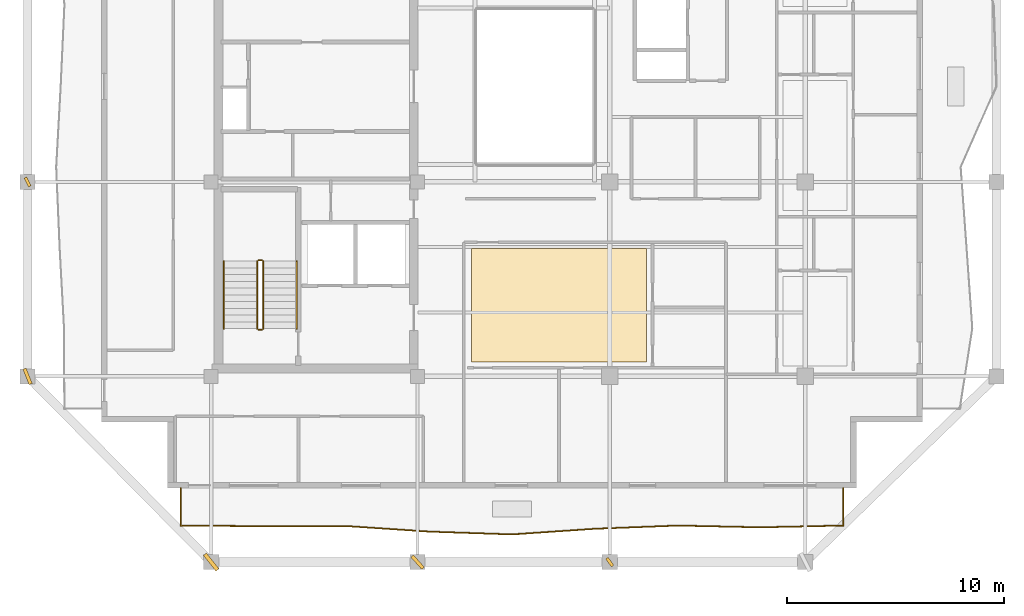
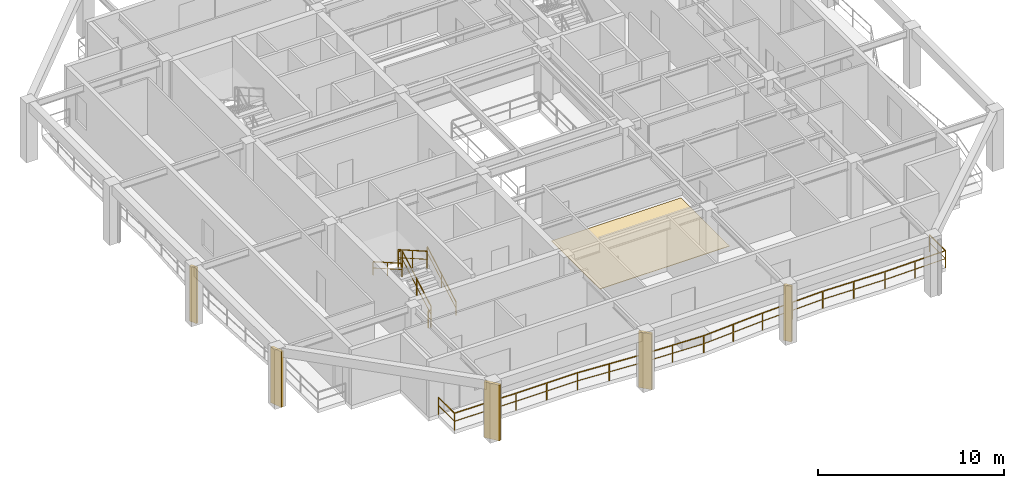
# One storey, part 7 of 10: 7 railings, 5 shading devices, 1 covering.
"""IFC4 building model written with IfcOpenShell, lengths in metres."""

import ifcopenshell
import ifcopenshell.guid

model = None  # the IFC model being written
_history = None  # IfcOwnerHistory: only IFC2X3 demands one
_inside = {}  # id of a spatial element -> (the spatial element, [elements in it])
_under = {}  # id of a project, library or spatial element -> (it, [spatial elements below it])
_declared = {}  # id of a project -> (the project, [libraries it declares])
_typed = {}  # id of a type object -> (the type object, [elements of that type])
_made_of = {}  # id of a material, layer set ... -> (it, [elements and type objects made of it])


def new_model(schema):
    """Start an empty IFC model of exactly this schema.

    Asked for "IFC4X3", IfcOpenShell would pick the latest addendum, in which some entities
    have other attributes; the version numbers below select the first issue.
    IFC2X3 requires an IfcOwnerHistory on every rooted entity: one is made here for all.
    """
    global model, _history
    if schema == "IFC4X3":
        model = ifcopenshell.file(schema_version=(4, 3, 0, 0))
    else:
        model = ifcopenshell.file(schema=schema)
    _inside.clear()
    _under.clear()
    _declared.clear()
    _typed.clear()
    _made_of.clear()
    _history = None
    if model.schema == "IFC2X3":
        org = make("IfcOrganization", Name="unknown")
        user = make(
            "IfcPersonAndOrganization",
            ThePerson=make("IfcPerson", FamilyName="unknown"),
            TheOrganization=org,
        )
        app = make(
            "IfcApplication",
            ApplicationDeveloper=org,
            Version="unknown",
            ApplicationFullName="unknown",
            ApplicationIdentifier="unknown",
        )
        _history = make(
            "IfcOwnerHistory",
            OwningUser=user,
            OwningApplication=app,
            ChangeAction="ADDED",
            CreationDate=0,
        )
    return model


def make(cls, **values):
    """One entity of the class cls with the attributes given. An attribute that is None is left unset."""
    return model.create_entity(
        cls, **{name: value for name, value in values.items() if value is not None}
    )


def rooted(cls, **values):
    """An entity with a GlobalId (a new one), such as an element, a storey or a relation."""
    return make(cls, GlobalId=ifcopenshell.guid.new(), OwnerHistory=_history, **values)


def si_unit(unit_type, name, prefix=None):
    """IfcSIUnit, for example si_unit("LENGTHUNIT", "METRE", prefix="MILLI")."""
    return make("IfcSIUnit", UnitType=unit_type, Prefix=prefix, Name=name)


def assignment(units):
    """IfcUnitAssignment: the units of a project."""
    return None if units is None else make("IfcUnitAssignment", Units=units)


def point(xyz):
    """IfcCartesianPoint."""
    return None if xyz is None else make("IfcCartesianPoint", Coordinates=xyz)


def direction(xyz):
    """IfcDirection."""
    return None if xyz is None else make("IfcDirection", DirectionRatios=xyz)


def frame(location, z_axis=None, x_axis=None):
    """IfcAxis2Placement3D, a coordinate frame: its origin and axes. An axis left out is left unset."""
    return make(
        "IfcAxis2Placement3D",
        Location=point(location),
        Axis=direction(z_axis),
        RefDirection=direction(x_axis),
    )


def frame_2d(location, x_axis=None):
    """IfcAxis2Placement2D, a coordinate frame in the plane: its origin and x axis."""
    return make(
        "IfcAxis2Placement2D", Location=point(location), RefDirection=direction(x_axis)
    )


def origin():
    """The frame at (0, 0, 0) with its axes left unset."""
    return frame((0.0, 0.0, 0.0))


def origin_2d():
    """The frame at (0, 0) in the plane with its x axis left unset."""
    return frame_2d((0.0, 0.0))


def place(relative_to, where):
    """IfcLocalPlacement: puts the frame where relative to a parent placement (None: the world)."""
    return make(
        "IfcLocalPlacement", PlacementRelTo=relative_to, RelativePlacement=where
    )


def context(
    kind, dimensions, precision=None, world=None, true_north=None, identifier=None
):
    """IfcGeometricRepresentationContext, for example the 3D "Model" context."""
    return make(
        "IfcGeometricRepresentationContext",
        ContextIdentifier=identifier,
        ContextType=kind,
        CoordinateSpaceDimension=dimensions,
        Precision=precision,
        WorldCoordinateSystem=world,
        TrueNorth=true_north,
    )


def subcontext(parent, identifier, kind, view, scale=None):
    """IfcGeometricRepresentationSubContext, for example "Body" below "Model"."""
    return make(
        "IfcGeometricRepresentationSubContext",
        ContextIdentifier=identifier,
        ContextType=kind,
        ParentContext=parent,
        TargetScale=scale,
        TargetView=view,
    )


def project(units=None, contexts=None):
    """IfcProject with its units and contexts."""
    return rooted(
        "IfcProject",
        Name="project",
        RepresentationContexts=contexts,
        UnitsInContext=assignment(units),
    )


def spatial(cls, under=None, at=None, **own):
    """A site, building, storey or space (cls), placed at a placement, below another one or the project."""
    s = rooted(cls, ObjectPlacement=at, **own)
    if under is not None:
        _under.setdefault(under.id(), (under, []))[1].append(s)
    return s


def polyline(points):
    """IfcPolyline through the points."""
    return make("IfcPolyline", Points=[point(p) for p in points])


def profile(cls, at=None, kind="AREA", **sizes):
    """A parametric profile (cls). Its sizes go by their IFC names, for example OverallWidth=200.0."""
    return make(cls, ProfileType=kind, Position=at, **sizes)


def rectangle(**sizes):
    """IfcRectangleProfileDef."""
    return profile("IfcRectangleProfileDef", **sizes)


def outline(outer, holes=None, kind="AREA"):
    """IfcArbitraryClosedProfileDef: a profile drawn as a closed curve; with holes, ...WithVoids."""
    if holes is None:
        return make("IfcArbitraryClosedProfileDef", ProfileType=kind, OuterCurve=outer)
    return make(
        "IfcArbitraryProfileDefWithVoids",
        ProfileType=kind,
        OuterCurve=outer,
        InnerCurves=holes,
    )


def extrude(swept, where, along, depth):
    """IfcExtrudedAreaSolid: the profile swept, set in the frame where, extruded along a direction by depth."""
    return make(
        "IfcExtrudedAreaSolid",
        SweptArea=swept,
        Position=where,
        ExtrudedDirection=direction(along),
        Depth=depth,
    )


def shape(context_of_items, identifier, shape_type, items):
    """IfcShapeRepresentation: the items that make up one representation, for example the "Body"."""
    return make(
        "IfcShapeRepresentation",
        ContextOfItems=context_of_items,
        RepresentationIdentifier=identifier,
        RepresentationType=shape_type,
        Items=items,
    )


def material(Name=None, Category=None):
    """IfcMaterial."""
    return make("IfcMaterial", Name=Name, Category=Category)


def layer(
    of_material, thickness, ventilated=None, Name=None, Category=None, Priority=None
):
    """IfcMaterialLayer: one layer of a wall or slab, of a material (None: an air gap)."""
    return make(
        "IfcMaterialLayer",
        Material=of_material,
        LayerThickness=thickness,
        IsVentilated=ventilated,
        Name=Name,
        Category=Category,
        Priority=Priority,
    )


def layer_set(layers, Name=None):
    """IfcMaterialLayerSet."""
    return make("IfcMaterialLayerSet", MaterialLayers=layers, LayerSetName=Name)


def made_of(thing, what):
    """Note that an element or type object is made of a material, layer set ...; save() writes the relation."""
    if what is not None:
        _made_of.setdefault(what.id(), (what, []))[1].append(thing)
    return thing


def type_object(cls, material=None, **own):
    """A type object (cls), such as IfcWallType, which elements share."""
    return made_of(rooted(cls, **own), material)


def element(
    cls,
    number,
    at=None,
    inside=None,
    cuts=None,
    type_object=None,
    material=None,
    context=None,
    identifier="Body",
    shape_type=None,
    held_by="IfcProductDefinitionShape",
    body=None,
    shapes=None,
    **own,
):
    """One element of the class cls, such as IfcWall. Its Tag is "e" and its number.

    at: its placement. inside: the storey or other place that contains it. cuts: it is an
    opening in that element (IfcRelVoidsElement). A single representation is given by context,
    identifier, shape_type and body (its items); several are given by shapes. held_by: the class
    of the entity that holds the representations. save() writes the other relations.
    """
    e = rooted(cls, Tag="e%d" % number, ObjectPlacement=at, **own)
    if body is not None:
        shapes = [shape(context, identifier, shape_type, body)]
    if shapes is not None:
        e.Representation = make(held_by, Representations=shapes)
    if inside is not None:
        _inside.setdefault(inside.id(), (inside, []))[1].append(e)
    if cuts is not None:
        rooted(
            "IfcRelVoidsElement", RelatingBuildingElement=cuts, RelatedOpeningElement=e
        )
    if type_object is not None:
        _typed.setdefault(type_object.id(), (type_object, []))[1].append(e)
    return made_of(e, material)


def aggregate(whole, parts):
    """IfcRelAggregates: a whole, such as a stair, and the parts it consists of."""
    return rooted("IfcRelAggregates", RelatingObject=whole, RelatedObjects=parts)


def save(model, path):
    """Write the relations noted so far, then the file.

    IfcRelAggregates (storeys below a building ...), IfcRelContainedInSpatialStructure (elements
    in a storey), IfcRelDefinesByType, IfcRelAssociatesMaterial and IfcRelDeclares: one each for
    every whole, place, type object, material and project.
    """
    for whole, parts in _under.values():
        aggregate(whole, parts)
    for where, things in _inside.values():
        rooted(
            "IfcRelContainedInSpatialStructure",
            RelatedElements=things,
            RelatingStructure=where,
        )
    for kind, things in _typed.values():
        rooted("IfcRelDefinesByType", RelatedObjects=things, RelatingType=kind)
    for what, things in _made_of.values():
        rooted("IfcRelAssociatesMaterial", RelatedObjects=things, RelatingMaterial=what)
    for by, libraries in _declared.values():
        rooted("IfcRelDeclares", RelatingContext=by, RelatedDefinitions=libraries)
    model.write(path)


model = new_model("IFC4")

# Units and contexts
model_context = context("Model", 3, precision=1e-05, world=origin(), true_north=direction((0.0, 1.0)))
body_context = subcontext(model_context, "Body", "Model", "MODEL_VIEW")
ifc_project = project(units=[si_unit("LENGTHUNIT", "METRE"), si_unit("AREAUNIT", "SQUARE_METRE"), si_unit("VOLUMEUNIT", "CUBIC_METRE"), si_unit("PLANEANGLEUNIT", "RADIAN"), si_unit("MASSUNIT", "GRAM", prefix="KILO")], contexts=[model_context])

# Site, building, storey
site_placement = place(None, origin())
site = spatial("IfcSite", under=ifc_project, at=site_placement, CompositionType="ELEMENT")
building_placement = place(site_placement, origin())
building = spatial("IfcBuilding", under=site, at=building_placement, Name="Kundavana Baori Tower", CompositionType="ELEMENT")
storey_placement = place(building_placement, frame((0.0, 0.0, 288.199951171875)))
storey = spatial("IfcBuildingStorey", under=building, at=storey_placement, Name="L71", CompositionType="ELEMENT", Elevation=288.199951171875)

# Covering
ifc_material_1 = material(Name="Honed Kota Stone and Terrazzo Flooring", Category="masonry")
ifc_layer = layer(ifc_material_1, 0.030029296875, Name="COV-INT-FLR")
ifc_layer_set = layer_set([ifc_layer], Name="Honed Kota Stone and Terrazzo Flooring")
covering_type = type_object("IfcCoveringType", Name="COV-INT-FLR", PredefinedType="FLOORING", material=ifc_layer_set)
covering_placement = place(storey_placement, origin())
element("IfcCovering", 1, at=covering_placement, inside=storey, type_object=covering_type, Name="L71 Room Finished Stone Flooring 1", PredefinedType="FLOORING", context=body_context, shape_type="SweptSolid", body=[
    extrude(outline(polyline([(27.43994140625, 15.919921875), (35.489990234375, 15.919921875), (35.489990234375, 21.139892578125), (27.43994140625, 21.139892578125), (27.43994140625, 15.919921875)])), origin(), (0.0, 0.0, 1.0), 0.030029296875),
])

# Railings
ifc_material_2 = material(Name="Architectural Patinated Bronze Metalwork")
railing_type_1 = type_object("IfcRailingType", Name="RL-BAL-1150", PredefinedType="BALUSTRADE", material=ifc_material_2)
railing_1_placement = place(storey_placement, frame((44.550048828125, 10.10009765625, 0.0)))
element("IfcRailing", 2, at=railing_1_placement, inside=storey, type_object=railing_type_1, Name="L71 Loggia Balcony Balustrade S", PredefinedType="BALUSTRADE", context=body_context, shape_type="SweptSolid", body=[
    extrude(rectangle(XDim=0.048095703125, YDim=0.048095703125, at=origin_2d()), frame((0.0, 0.0, 1.1259765625), z_axis=(0.0, -1.0, 0.0), x_axis=(1.0, 0.0, 0.0)), (0.0, 0.0, 1.0), 1.72021484375),
    extrude(rectangle(XDim=0.03125, YDim=0.03125, at=origin_2d()), frame((0.0, 0.0, 0.597900390625), z_axis=(0.0, -1.0, 0.0), x_axis=(1.0, 0.0, 0.0)), (0.0, 0.0, 1.0), 1.72021484375),
    extrude(rectangle(XDim=0.048095703125, YDim=0.048095703125, at=origin_2d()), frame((0.0, -1.72021484375, 1.1259765625), z_axis=(-0.999770036477, -0.021444676797, 0.0), x_axis=(0.021444676797, -0.999770036477, 0.0)), (0.0, 0.0, 1.0), 3.81396484375),
    extrude(rectangle(XDim=0.03125, YDim=0.03125, at=origin_2d()), frame((0.0, -1.72021484375, 0.597900390625), z_axis=(-0.999770036477, -0.021444676797, 0.0), x_axis=(0.021444676797, -0.999770036477, 0.0)), (0.0, 0.0, 1.0), 3.81396484375),
    extrude(rectangle(XDim=0.048095703125, YDim=0.048095703125, at=origin_2d()), frame((-3.81298828125, -1.802001953125, 1.1259765625), z_axis=(-0.999775378515, 0.021194162309, 0.0), x_axis=(-0.021194162309, -0.999775378515, 0.0)), (0.0, 0.0, 1.0), 3.81298828125),
    extrude(rectangle(XDim=0.03125, YDim=0.03125, at=origin_2d()), frame((-3.81298828125, -1.802001953125, 0.597900390625), z_axis=(-0.999775378515, 0.021194162309, 0.0), x_axis=(-0.021194162309, -0.999775378515, 0.0)), (0.0, 0.0, 1.0), 3.81298828125),
    extrude(rectangle(XDim=0.048095703125, YDim=0.048095703125, at=origin_2d()), frame((-7.625, -1.72119140625, 1.1259765625), z_axis=(-0.999248075275, -0.0387722073, 0.0), x_axis=(0.0387722073, -0.999248075275, 0.0)), (0.0, 0.0, 1.0), 3.81591796875),
    extrude(rectangle(XDim=0.03125, YDim=0.03125, at=origin_2d()), frame((-7.625, -1.72119140625, 0.597900390625), z_axis=(-0.999248075275, -0.0387722073, 0.0), x_axis=(0.0387722073, -0.999248075275, 0.0)), (0.0, 0.0, 1.0), 3.81591796875),
    extrude(rectangle(XDim=0.048095703125, YDim=0.048095703125, at=origin_2d()), frame((-11.43798828125, -1.869140625, 1.1259765625), z_axis=(-0.997699238533, -0.067795497123, 0.0), x_axis=(0.067795497123, -0.997699238533, 0.0)), (0.0, 0.0, 1.0), 3.82080078125),
    extrude(rectangle(XDim=0.03125, YDim=0.03125, at=origin_2d()), frame((-11.43798828125, -1.869140625, 0.597900390625), z_axis=(-0.997699238533, -0.067795497123, 0.0), x_axis=(0.067795497123, -0.997699238533, 0.0)), (0.0, 0.0, 1.0), 3.82080078125),
    extrude(rectangle(XDim=0.048095703125, YDim=0.048095703125, at=origin_2d()), frame((-15.25, -2.128173828125, 1.1259765625), z_axis=(-0.999426864879, 0.033851761527, 0.0), x_axis=(-0.033851761527, -0.999426864879, 0.0)), (0.0, 0.0, 1.0), 3.815185546875),
    extrude(rectangle(XDim=0.03125, YDim=0.03125, at=origin_2d()), frame((-15.25, -2.128173828125, 0.597900390625), z_axis=(-0.999426864879, 0.033851761527, 0.0), x_axis=(-0.033851761527, -0.999426864879, 0.0)), (0.0, 0.0, 1.0), 3.815185546875),
    extrude(rectangle(XDim=0.048095703125, YDim=0.048095703125, at=origin_2d()), frame((-19.06298828125, -1.9990234375, 1.1259765625), z_axis=(-0.997755085163, 0.066968574949, 0.0), x_axis=(-0.066968574949, -0.997755085163, 0.0)), (0.0, 0.0, 1.0), 3.820556640625),
    extrude(rectangle(XDim=0.03125, YDim=0.03125, at=origin_2d()), frame((-19.06298828125, -1.9990234375, 0.597900390625), z_axis=(-0.997755085163, 0.066968574949, 0.0), x_axis=(-0.066968574949, -0.997755085163, 0.0)), (0.0, 0.0, 1.0), 3.820556640625),
    extrude(rectangle(XDim=0.048095703125, YDim=0.048095703125, at=origin_2d()), frame((-22.875, -1.7431640625, 1.1259765625), z_axis=(-0.999998392109, -0.001793259573, 0.0), x_axis=(0.001793259573, -0.999998392109, 0.0)), (0.0, 0.0, 1.0), 3.81201171875),
    extrude(rectangle(XDim=0.03125, YDim=0.03125, at=origin_2d()), frame((-22.875, -1.7431640625, 0.597900390625), z_axis=(-0.999998392109, -0.001793259573, 0.0), x_axis=(0.001793259573, -0.999998392109, 0.0)), (0.0, 0.0, 1.0), 3.81201171875),
    extrude(rectangle(XDim=0.048095703125, YDim=0.048095703125, at=origin_2d()), frame((-26.68701171875, -1.75, 1.1259765625), z_axis=(-0.999969491634, 0.007811261236, 0.0), x_axis=(-0.007811261236, -0.999969491634, 0.0)), (0.0, 0.0, 1.0), 3.81298828125),
    extrude(rectangle(XDim=0.03125, YDim=0.03125, at=origin_2d()), frame((-26.68701171875, -1.75, 0.597900390625), z_axis=(-0.999969491634, 0.007811261236, 0.0), x_axis=(-0.007811261236, -0.999969491634, 0.0)), (0.0, 0.0, 1.0), 3.81298828125),
    extrude(rectangle(XDim=0.048095703125, YDim=0.048095703125, at=origin_2d()), frame((-30.5, -1.72021484375, 1.1259765625), z_axis=(0.0, 1.0, 0.0), x_axis=(-1.0, 0.0, 0.0)), (0.0, 0.0, 1.0), 1.72021484375),
    extrude(rectangle(XDim=0.03125, YDim=0.03125, at=origin_2d()), frame((-30.5, -1.72021484375, 0.597900390625), z_axis=(0.0, 1.0, 0.0), x_axis=(-1.0, 0.0, 0.0)), (0.0, 0.0, 1.0), 1.72021484375),
    extrude(rectangle(XDim=0.0419921875, YDim=0.0419921875, at=origin_2d()), origin(), (0.0, 0.0, 1.0), 1.101806640625),
    extrude(rectangle(XDim=0.0419921875, YDim=0.0419921875, at=origin_2d()), frame((0.0, -1.72021484375, 0.0)), (0.0, 0.0, 1.0), 1.101806640625),
    extrude(rectangle(XDim=0.0419921875, YDim=0.0419921875, at=origin_2d()), frame((-1.906494140625, -1.76123046875, 0.0)), (0.0, 0.0, 1.0), 1.101806640625),
    extrude(rectangle(XDim=0.0419921875, YDim=0.0419921875, at=origin_2d()), frame((-3.81298828125, -1.802001953125, 0.0)), (0.0, 0.0, 1.0), 1.101806640625),
    extrude(rectangle(XDim=0.0419921875, YDim=0.0419921875, at=origin_2d()), frame((-5.718994140625, -1.76171875, 0.0)), (0.0, 0.0, 1.0), 1.101806640625),
    extrude(rectangle(XDim=0.0419921875, YDim=0.0419921875, at=origin_2d()), frame((-7.625, -1.72119140625, 0.0)), (0.0, 0.0, 1.0), 1.101806640625),
    extrude(rectangle(XDim=0.0419921875, YDim=0.0419921875, at=origin_2d()), frame((-9.531494140625, -1.795166015625, 0.0)), (0.0, 0.0, 1.0), 1.101806640625),
    extrude(rectangle(XDim=0.0419921875, YDim=0.0419921875, at=origin_2d()), frame((-11.43798828125, -1.869140625, 0.0)), (0.0, 0.0, 1.0), 1.101806640625),
    extrude(rectangle(XDim=0.0419921875, YDim=0.0419921875, at=origin_2d()), frame((-13.343994140625, -1.99853515625, 0.0)), (0.0, 0.0, 1.0), 1.101806640625),
    extrude(rectangle(XDim=0.0419921875, YDim=0.0419921875, at=origin_2d()), frame((-15.25, -2.128173828125, 0.0)), (0.0, 0.0, 1.0), 1.101806640625),
    extrude(rectangle(XDim=0.0419921875, YDim=0.0419921875, at=origin_2d()), frame((-17.156494140625, -2.0634765625, 0.0)), (0.0, 0.0, 1.0), 1.101806640625),
    extrude(rectangle(XDim=0.0419921875, YDim=0.0419921875, at=origin_2d()), frame((-19.06298828125, -1.9990234375, 0.0)), (0.0, 0.0, 1.0), 1.101806640625),
    extrude(rectangle(XDim=0.0419921875, YDim=0.0419921875, at=origin_2d()), frame((-20.968994140625, -1.87109375, 0.0)), (0.0, 0.0, 1.0), 1.101806640625),
    extrude(rectangle(XDim=0.0419921875, YDim=0.0419921875, at=origin_2d()), frame((-22.875, -1.7431640625, 0.0)), (0.0, 0.0, 1.0), 1.101806640625),
    extrude(rectangle(XDim=0.0419921875, YDim=0.0419921875, at=origin_2d()), frame((-24.781005859375, -1.74658203125, 0.0)), (0.0, 0.0, 1.0), 1.101806640625),
    extrude(rectangle(XDim=0.0419921875, YDim=0.0419921875, at=origin_2d()), frame((-26.68701171875, -1.75, 0.0)), (0.0, 0.0, 1.0), 1.101806640625),
    extrude(rectangle(XDim=0.0419921875, YDim=0.0419921875, at=origin_2d()), frame((-28.593505859375, -1.735107421875, 0.0)), (0.0, 0.0, 1.0), 1.101806640625),
    extrude(rectangle(XDim=0.0419921875, YDim=0.0419921875, at=origin_2d()), frame((-30.5, -1.72021484375, 0.0)), (0.0, 0.0, 1.0), 1.101806640625),
    extrude(rectangle(XDim=0.0419921875, YDim=0.0419921875, at=origin_2d()), frame((-30.5, 0.0, 0.0)), (0.0, 0.0, 1.0), 1.101806640625),
])
ifc_material_3 = material(Name="Architectural Patinated Bronze Metalwork")
railing_type_2 = type_object("IfcRailingType", Name="RL-GRD-1150", PredefinedType="GUARDRAIL", material=ifc_material_3)
railing_2_placement = place(storey_placement, frame((17.840087890625, 17.449951171875, 0.17724609375)))
element("IfcRailing", 3, at=railing_2_placement, inside=storey, type_object=railing_type_2, Name="L71 ST1 stair guard 1", PredefinedType="GUARDRAIL", context=body_context, shape_type="SweptSolid", body=[
    extrude(rectangle(XDim=0.048095703125, YDim=0.048095703125, at=origin_2d()), frame((0.0, 0.0, 1.1259765625), z_axis=(0.0, 0.868095856688, 0.496396599103), x_axis=(-1.0, 0.0, 0.0)), (0.0, 0.0, 1.0), 3.571044921875),
    extrude(rectangle(XDim=0.03125, YDim=0.03125, at=origin_2d()), frame((0.0, 0.0, 0.597900390625), z_axis=(0.0, 0.868095856688, 0.496396599103), x_axis=(-1.0, 0.0, 0.0)), (0.0, 0.0, 1.0), 3.571044921875),
    extrude(rectangle(XDim=0.0419921875, YDim=0.0419921875, at=origin_2d()), origin(), (0.0, 0.0, 1.0), 1.101806640625),
    extrude(rectangle(XDim=0.0419921875, YDim=0.0419921875, at=origin_2d()), frame((0.0, 1.550048828125, 0.88623046875)), (0.0, 0.0, 1.0), 1.101806640625),
    extrude(rectangle(XDim=0.0419921875, YDim=0.0419921875, at=origin_2d()), frame((0.0, 3.10009765625, 1.772705078125)), (0.0, 0.0, 1.0), 1.101806640625),
])
railing_3_placement = place(storey_placement, frame((17.7900390625, 20.60009765625, 1.949951171875)))
element("IfcRailing", 4, at=railing_3_placement, inside=storey, type_object=railing_type_2, Name="L71 ST1 stair guard 2", PredefinedType="GUARDRAIL", context=body_context, shape_type="SweptSolid", body=[
    extrude(rectangle(XDim=0.048095703125, YDim=0.048095703125, at=origin_2d()), frame((0.0, 0.0, 1.1259765625), z_axis=(-1.0, 0.0, 0.0), x_axis=(0.0, -1.0, 0.0)), (0.0, 0.0, 1.0), 0.16015625),
    extrude(rectangle(XDim=0.03125, YDim=0.03125, at=origin_2d()), frame((0.0, 0.0, 0.597900390625), z_axis=(-1.0, 0.0, 0.0), x_axis=(0.0, -1.0, 0.0)), (0.0, 0.0, 1.0), 0.16015625),
    extrude(rectangle(XDim=0.0419921875, YDim=0.0419921875, at=origin_2d()), origin(), (0.0, 0.0, 1.0), 1.101806640625),
    extrude(rectangle(XDim=0.0419921875, YDim=0.0419921875, at=origin_2d()), frame((-0.16015625, 0.0, 0.0)), (0.0, 0.0, 1.0), 1.101806640625),
])
railing_4_placement = place(storey_placement, frame((17.580078125, 20.550048828125, 2.12744140625)))
element("IfcRailing", 5, at=railing_4_placement, inside=storey, type_object=railing_type_2, Name="L71 ST1 stair guard 3", PredefinedType="GUARDRAIL", context=body_context, shape_type="SweptSolid", body=[
    extrude(rectangle(XDim=0.048095703125, YDim=0.048095703125, at=origin_2d()), frame((0.0, 0.0, 1.1259765625), z_axis=(0.0, -0.868095856688, 0.496396599103), x_axis=(1.0, 0.0, 0.0)), (0.0, 0.0, 1.0), 3.571044921875),
    extrude(rectangle(XDim=0.03125, YDim=0.03125, at=origin_2d()), frame((0.0, 0.0, 0.597900390625), z_axis=(0.0, -0.868095856688, 0.496396599103), x_axis=(1.0, 0.0, 0.0)), (0.0, 0.0, 1.0), 3.571044921875),
    extrude(rectangle(XDim=0.0419921875, YDim=0.0419921875, at=origin_2d()), origin(), (0.0, 0.0, 1.0), 1.101806640625),
    extrude(rectangle(XDim=0.0419921875, YDim=0.0419921875, at=origin_2d()), frame((0.0, -1.550048828125, 0.88623046875)), (0.0, 0.0, 1.0), 1.101806640625),
    extrude(rectangle(XDim=0.0419921875, YDim=0.0419921875, at=origin_2d()), frame((0.0, -3.10009765625, 1.772705078125)), (0.0, 0.0, 1.0), 1.101806640625),
])
railing_5_placement = place(storey_placement, frame((17.7900390625, 17.39990234375, 0.0)))
element("IfcRailing", 6, at=railing_5_placement, inside=storey, type_object=railing_type_2, Name="L71 ST1 stair guard 4", PredefinedType="GUARDRAIL", context=body_context, shape_type="SweptSolid", body=[
    extrude(rectangle(XDim=0.048095703125, YDim=0.048095703125, at=origin_2d()), frame((0.0, 0.0, 1.1259765625), z_axis=(-1.0, 0.0, 0.0), x_axis=(0.0, -1.0, 0.0)), (0.0, 0.0, 1.0), 0.16015625),
    extrude(rectangle(XDim=0.03125, YDim=0.03125, at=origin_2d()), frame((0.0, 0.0, 0.597900390625), z_axis=(-1.0, 0.0, 0.0), x_axis=(0.0, -1.0, 0.0)), (0.0, 0.0, 1.0), 0.16015625),
    extrude(rectangle(XDim=0.0419921875, YDim=0.0419921875, at=origin_2d()), origin(), (0.0, 0.0, 1.0), 1.101806640625),
    extrude(rectangle(XDim=0.0419921875, YDim=0.0419921875, at=origin_2d()), frame((-0.16015625, 0.0, 0.0)), (0.0, 0.0, 1.0), 1.101806640625),
])
ifc_material_4 = material(Name="Architectural Patinated Bronze Metalwork")
railing_type_3 = type_object("IfcRailingType", Name="RL-HND-920", PredefinedType="HANDRAIL", material=ifc_material_4)
railing_6_placement = place(storey_placement, frame((19.389892578125, 17.449951171875, 0.17724609375)))
element("IfcRailing", 7, at=railing_6_placement, inside=storey, type_object=railing_type_3, Name="L71 ST1 stair handrail 1", PredefinedType="HANDRAIL", context=body_context, shape_type="SweptSolid", body=[
    extrude(rectangle(XDim=0.048095703125, YDim=0.048095703125, at=origin_2d()), frame((0.0, 0.0, 0.8759765625), z_axis=(0.0, 0.868095856688, 0.496396599103), x_axis=(-1.0, 0.0, 0.0)), (0.0, 0.0, 1.0), 3.571044921875),
    extrude(rectangle(XDim=0.03125, YDim=0.03125, at=origin_2d()), frame((0.0, 0.0, 0.468017578125), z_axis=(0.0, 0.868095856688, 0.496396599103), x_axis=(-1.0, 0.0, 0.0)), (0.0, 0.0, 1.0), 3.571044921875),
    extrude(rectangle(XDim=0.0419921875, YDim=0.0419921875, at=origin_2d()), origin(), (0.0, 0.0, 1.0), 0.851806640625),
    extrude(rectangle(XDim=0.0419921875, YDim=0.0419921875, at=origin_2d()), frame((0.0, 1.550048828125, 0.88623046875)), (0.0, 0.0, 1.0), 0.851806640625),
    extrude(rectangle(XDim=0.0419921875, YDim=0.0419921875, at=origin_2d()), frame((0.0, 3.10009765625, 1.772705078125)), (0.0, 0.0, 1.0), 0.851806640625),
])
railing_7_placement = place(storey_placement, frame((16.030029296875, 20.550048828125, 2.12744140625)))
element("IfcRailing", 8, at=railing_7_placement, inside=storey, type_object=railing_type_3, Name="L71 ST1 stair handrail 2", PredefinedType="HANDRAIL", context=body_context, shape_type="SweptSolid", body=[
    extrude(rectangle(XDim=0.048095703125, YDim=0.048095703125, at=origin_2d()), frame((0.0, 0.0, 0.8759765625), z_axis=(0.0, -0.868095856688, 0.496396599103), x_axis=(1.0, 0.0, 0.0)), (0.0, 0.0, 1.0), 3.571044921875),
    extrude(rectangle(XDim=0.03125, YDim=0.03125, at=origin_2d()), frame((0.0, 0.0, 0.468017578125), z_axis=(0.0, -0.868095856688, 0.496396599103), x_axis=(1.0, 0.0, 0.0)), (0.0, 0.0, 1.0), 3.571044921875),
    extrude(rectangle(XDim=0.0419921875, YDim=0.0419921875, at=origin_2d()), origin(), (0.0, 0.0, 1.0), 0.851806640625),
    extrude(rectangle(XDim=0.0419921875, YDim=0.0419921875, at=origin_2d()), frame((0.0, -1.550048828125, 0.88623046875)), (0.0, 0.0, 1.0), 0.851806640625),
    extrude(rectangle(XDim=0.0419921875, YDim=0.0419921875, at=origin_2d()), frame((0.0, -3.10009765625, 1.772705078125)), (0.0, 0.0, 1.0), 0.851806640625),
])

# Shading devices
ifc_material_5 = material(Name="Red-Buff Dholpur Sandstone Cladding on Concrete C40/50", Category="masonry")
shading_device_type_1 = type_object("IfcShadingDeviceType", Name="SHD-FIN-750", PredefinedType="JALOUSIE", material=ifc_material_5)
for number, where, z_axis, x_axis, name in (
    (9, (24.949951171875, 6.699951171875, 0.0), (0.0, 0.0, 1.0), (0.744428093663, 0.667702638429, 0.0), "L71 Sweeping Dholpur Sandstone Facade Fin 2"),
    (10, (7.0, 15.25, 0.0), (0.0, 0.0, 1.0), (0.927183854567, 0.374606593416, 0.0), "L71 Sweeping Dholpur Sandstone Facade Fin 5"),
):
    element("IfcShadingDevice", number, at=place(storey_placement, frame(where, z_axis=z_axis, x_axis=x_axis)), inside=storey, type_object=shading_device_type_1, Name=name, PredefinedType="JALOUSIE", context=body_context, shape_type="SweptSolid", body=[
        extrude(rectangle(XDim=0.159912109375, YDim=0.75, at=origin_2d()), origin(), (0.0, 0.0, 1.0), 3.659912109375),
    ])
ifc_material_6 = material(Name="Red-Buff Dholpur Sandstone Cladding on Concrete C40/50", Category="masonry")
shading_device_type_2 = type_object("IfcShadingDeviceType", Name="SHD-FIN-920", PredefinedType="JALOUSIE", material=ifc_material_6)
shading_device_placement = place(storey_placement, frame((15.449951171875, 6.699951171875, 0.0), z_axis=(0.0, 0.0, 1.0), x_axis=(0.781847027868, 0.623470308046, 0.0)))
element("IfcShadingDevice", 11, at=shading_device_placement, inside=storey, type_object=shading_device_type_2, Name="L71 Sweeping Dholpur Sandstone Facade Fin 1", PredefinedType="JALOUSIE", context=body_context, shape_type="SweptSolid", body=[
    extrude(rectangle(XDim=0.179931640625, YDim=0.919921875, at=origin_2d()), origin(), (0.0, 0.0, 1.0), 3.659912109375),
])
ifc_material_7 = material(Name="Architectural Patinated Bronze Metalwork")
shading_device_type_3 = type_object("IfcShadingDeviceType", Name="SHD-LOUV-450", PredefinedType="SHUTTER", material=ifc_material_7)
for number, where, z_axis, x_axis, name in (
    (12, (33.800048828125, 6.699951171875, 0.0), (0.0, 0.0, 1.0), (0.807784166349, 0.589478363128, 0.0), "L71 Sweeping Dholpur Sandstone Facade Fin 3"),
    (13, (7.0, 24.199951171875, 0.0), (0.0, 0.0, 1.0), (0.893841424151, 0.44838321609, 0.0), "L71 Sweeping Dholpur Sandstone Facade Fin 6"),
):
    element("IfcShadingDevice", number, at=place(storey_placement, frame(where, z_axis=z_axis, x_axis=x_axis)), inside=storey, type_object=shading_device_type_3, Name=name, PredefinedType="SHUTTER", context=body_context, shape_type="SweptSolid", body=[
        extrude(rectangle(XDim=0.139892578125, YDim=0.449951171875, at=origin_2d()), origin(), (0.0, 0.0, 1.0), 3.659912109375),
    ])

save(model, "model.ifc")
